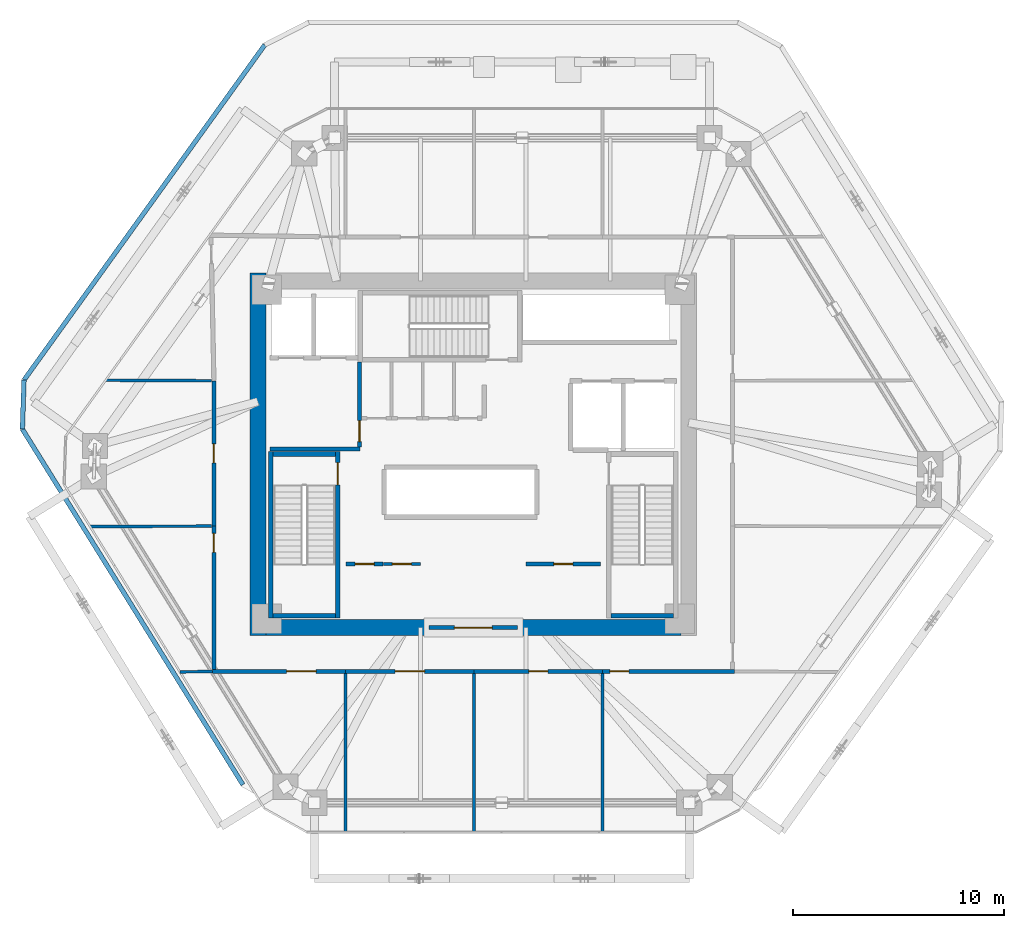
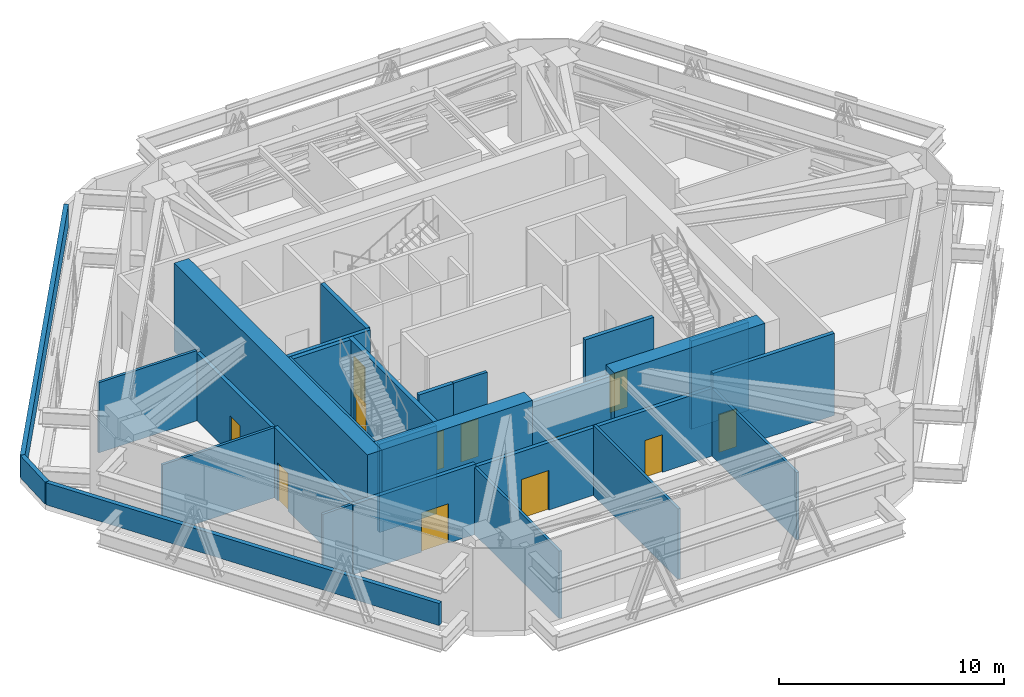
# One storey, part 8 of 11: 29 walls, 12 doors, 12 openings.
"""IFC4 building model written with IfcOpenShell, lengths in metres."""

from ifc_helpers import new_model, si_unit, direction, frame, frame_2d, origin, place, context, subcontext, project, spatial, rectangle, extrude, source, transform, mapped, material, layer, layer_set, type_object, type_shapes, element, fill, save


model = new_model("IFC4")

# Units and contexts
model_context = context("Model", 3, precision=1e-05, world=origin(), true_north=direction((0.0, 1.0)))
body_context = subcontext(model_context, "Body", "Model", "MODEL_VIEW")
ifc_project = project(units=[si_unit("LENGTHUNIT", "METRE"), si_unit("AREAUNIT", "SQUARE_METRE"), si_unit("VOLUMEUNIT", "CUBIC_METRE"), si_unit("PLANEANGLEUNIT", "RADIAN"), si_unit("MASSUNIT", "GRAM", prefix="KILO")], contexts=[model_context])

# Site, building, storey
site_placement = place(None, origin())
site = spatial("IfcSite", under=ifc_project, at=site_placement, CompositionType="ELEMENT")
building_placement = place(site_placement, origin())
building = spatial("IfcBuilding", under=site, at=building_placement, Name="Durnholm Broadcast Tower", CompositionType="ELEMENT")
storey_placement = place(building_placement, frame((0.0, 0.0, 150.300048828125)))
storey = spatial("IfcBuildingStorey", under=building, at=storey_placement, Name="L41", CompositionType="ELEMENT", Elevation=150.300048828125)

# Walls
ifc_material_1 = material(Name="Concrete C70/85", Category="concrete")
ifc_layer_1 = layer(ifc_material_1, 0.75)
ifc_layer_set_1 = layer_set([ifc_layer_1], Name="Concrete C70/85")
wall_type_1 = type_object("IfcWallType", Name="WALL-CW-750", PredefinedType="SHEAR", material=ifc_layer_set_1)
wall_1_placement = place(storey_placement, frame((-10.22509765625, -8.60009765625, 0.0), z_axis=(0.0, 0.0, 1.0), x_axis=(0.0, 1.0, 0.0)))
element("IfcWall", 1, at=wall_1_placement, inside=storey, type_object=wall_type_1, Name="L41 central core shear wall CW-WEST", PredefinedType="SHEAR", context=body_context, shape_type="SweptSolid", body=[
    extrude(rectangle(XDim=17.2001953125, YDim=0.75, at=frame_2d((8.60009765625, 0.0))), origin(), (0.0, 0.0, 1.0), 4.800048828125),
])
for number, where, z_axis, x_axis, name in (
    (2, (-9.85009765625, -8.22509765625, 0.0), (0.0, 0.0, 1.0), (1.0, 0.0, 0.0), "L41 central core shear wall CW-S1"),
    (3, (2.10009765625, -8.22509765625, 0.0), (0.0, 0.0, 1.0), (1.0, 0.0, 0.0), "L41 central core shear wall CW-S2"),
):
    element("IfcWall", number, at=place(storey_placement, frame(where, z_axis=z_axis, x_axis=x_axis)), inside=storey, type_object=wall_type_1, Name=name, PredefinedType="SHEAR", context=body_context, shape_type="SweptSolid", body=[
        extrude(rectangle(XDim=7.75, YDim=0.75, at=frame_2d((3.875, 0.0))), origin(), (0.0, 0.0, 1.0), 4.800048828125),
    ])

# Wall, opening, door
ifc_material_2 = material(Name="Fire-Rated Gypsum Shaftwall", Category="concrete")
ifc_layer_2 = layer(ifc_material_2, 0.199951171875)
ifc_layer_set_2 = layer_set([ifc_layer_2], Name="Fire-Rated Gypsum Shaftwall")
wall_type_2 = type_object("IfcWallType", Name="WALL-LOB-200", PredefinedType="SOLIDWALL", material=ifc_layer_set_2)
wall_2_placement = place(storey_placement, frame((-2.10009765625, -8.22509765625, 0.0), z_axis=(0.0, 0.0, 1.0), x_axis=(1.0, 0.0, 0.0)))
wall_2 = element("IfcWall", 4, at=wall_2_placement, inside=storey, type_object=wall_type_2, Name="L41 south core lobby fire screen", PredefinedType="SOLIDWALL", context=body_context, shape_type="SweptSolid", body=[
    extrude(rectangle(XDim=4.2001953125, YDim=0.199951171875, at=frame_2d((2.10009765625, 0.0))), origin(), (0.0, 0.0, 1.0), 4.46484375),
])
opening_1_placement = place(wall_2_placement, frame((1.199951171875, 0.0, 0.0)))
opening_1 = element("IfcOpeningElement", 5, at=opening_1_placement, cuts=wall_2, Name="Opening DP-60", PredefinedType="OPENING", context=body_context, shape_type="SweptSolid", body=[
    extrude(rectangle(XDim=1.800048828125, YDim=2.14990234375, at=frame_2d((0.89990234375, 1.074951171875))), frame((0.0, 0.10986328125, 0.0), z_axis=(0.0, -1.0, 0.0), x_axis=(1.0, 0.0, 0.0)), (0.0, 0.0, 1.0), 0.219970703125),
])
ifc_material_3 = material(Name="Fire-Rated Double Corridor Door", Category="steel")
ifc_layer_3 = layer(ifc_material_3, 0.050048828125)
ifc_layer_set_3 = layer_set([ifc_layer_3], Name="Fire-Rated Double Corridor Door")
door_type_1 = type_object("IfcDoorType", Name="DOOR-PAIR-FD60", OperationType="DOUBLE_DOOR_SINGLE_SWING", PredefinedType="DOOR", material=ifc_layer_set_3)
shared_shape_1 = source(origin(), body_context, "Body", "SweptSolid", [
    extrude(rectangle(XDim=1.800048828125, YDim=2.14990234375, at=frame_2d((0.89990234375, 1.074951171875))), frame((0.0, 0.02490234375, 0.0), z_axis=(0.0, -1.0, 0.0), x_axis=(1.0, 0.0, 0.0)), (0.0, 0.0, 1.0), 0.050048828125),
])
type_shapes(door_type_1, [shared_shape_1])
door_1_placement = place(opening_1_placement, origin())
door_1 = element("IfcDoor", 6, at=door_1_placement, inside=storey, type_object=door_type_1, Name="L41 south core lobby double fire door", OperationType="DOUBLE_DOOR_SINGLE_SWING", OverallHeight=2.14990234375, OverallWidth=1.800048828125, PredefinedType="DOOR", context=body_context, shape_type="MappedRepresentation", body=[
    mapped(shared_shape_1, transform((0.0, 0.0, 0.0), x_axis=(1.0, 0.0, 0.0), y_axis=(0.0, 1.0, 0.0), z_axis=(0.0, 0.0, 1.0), scale=1.0)),
])
fill(opening_1, door_1)

# Wall
wall_3_placement = place(storey_placement, frame((-9.64990234375, 0.25, 0.0), z_axis=(0.0, 0.0, 1.0), x_axis=(1.0, 0.0, 0.0)))
element("IfcWall", 7, at=wall_3_placement, inside=storey, type_object=wall_type_2, Name="L41 Fire Service Access Elevator lobby south wall", PredefinedType="SOLIDWALL", context=body_context, shape_type="SweptSolid", body=[
    extrude(rectangle(XDim=4.27001953125, YDim=0.199951171875, at=frame_2d((2.135009765625, 0.0))), origin(), (0.0, 0.0, 1.0), 4.46484375),
])

# Wall, opening, door
wall_4_placement = place(storey_placement, frame((-5.39990234375, 0.35400390625, 0.0), z_axis=(0.0, 0.0, 1.0), x_axis=(0.0, 1.0, 0.0)))
wall_4 = element("IfcWall", 8, at=wall_4_placement, inside=storey, type_object=wall_type_2, Name="L41 Fire Service Access Elevator lobby east fire wall", PredefinedType="SOLIDWALL", context=body_context, shape_type="SweptSolid", body=[
    extrude(rectangle(XDim=4.02587890625, YDim=0.199951171875, at=frame_2d((2.012939453125, 0.0))), origin(), (0.0, 0.0, 1.0), 4.46484375),
])
opening_2_placement = place(wall_4_placement, frame((0.24609375, 0.0, 0.0)))
opening_2 = element("IfcOpeningElement", 9, at=opening_2_placement, cuts=wall_4, Name="Opening DL-60R", PredefinedType="OPENING", context=body_context, shape_type="SweptSolid", body=[
    extrude(rectangle(XDim=1.0, YDim=2.14990234375, at=frame_2d((0.5, 1.074951171875))), frame((0.0, 0.10986328125, 0.0), z_axis=(0.0, -1.0, 0.0), x_axis=(1.0, 0.0, 0.0)), (0.0, 0.0, 1.0), 0.219970703125),
])
ifc_material_4 = material(Name="Fire-Rated Timber/Steel Door", Category="steel")
ifc_layer_4 = layer(ifc_material_4, 0.050048828125)
ifc_layer_set_4 = layer_set([ifc_layer_4], Name="Fire-Rated Timber/Steel Door")
door_type_2 = type_object("IfcDoorType", Name="DOOR-LOB-FD60-R", OperationType="NOTDEFINED", PredefinedType="DOOR", material=ifc_layer_set_4)
shared_shape_2 = source(origin(), body_context, "Body", "SweptSolid", [
    extrude(rectangle(XDim=1.0, YDim=2.14990234375, at=frame_2d((0.5, 1.074951171875))), frame((0.0, 0.02490234375, 0.0), z_axis=(0.0, -1.0, 0.0), x_axis=(1.0, 0.0, 0.0)), (0.0, 0.0, 1.0), 0.050048828125),
])
type_shapes(door_type_2, [shared_shape_2])
door_2_placement = place(opening_2_placement, origin())
door_2 = element("IfcDoor", 10, at=door_2_placement, inside=storey, type_object=door_type_2, Name="L41 Fire Service Access Elevator lobby smoke door", OperationType="SINGLE_SWING_RIGHT", OverallHeight=2.14990234375, OverallWidth=1.0, PredefinedType="DOOR", context=body_context, shape_type="MappedRepresentation", body=[
    mapped(shared_shape_2, transform((0.0, 0.0, 0.0), x_axis=(1.0, 0.0, 0.0), y_axis=(0.0, 1.0, 0.0), z_axis=(0.0, 0.0, 1.0), scale=1.0)),
])
fill(opening_2, door_2)

wall_5_placement = place(storey_placement, frame((-6.0400390625, -5.2099609375, 0.0), z_axis=(0.0, 0.0, 1.0), x_axis=(1.0, 0.0, 0.0)))
wall_5 = element("IfcWall", 11, at=wall_5_placement, inside=storey, type_object=wall_type_2, Name="L41 Media Fiber Patch Room corridor partition", PredefinedType="SOLIDWALL", context=body_context, shape_type="SweptSolid", body=[
    extrude(rectangle(XDim=1.760009765625, YDim=0.199951171875, at=frame_2d((0.8798828125, 0.0))), origin(), (0.0, 0.0, 1.0), 4.46484375),
])
opening_3_placement = place(wall_5_placement, frame((0.429931640625, 0.0, 0.0)))
opening_3 = element("IfcOpeningElement", 12, at=opening_3_placement, cuts=wall_5, Name="Opening DC-60R", PredefinedType="OPENING", context=body_context, shape_type="SweptSolid", body=[
    extrude(rectangle(XDim=0.89990234375, YDim=2.050048828125, at=frame_2d((0.449951171875, 1.02490234375))), frame((0.0, 0.10986328125, 0.0), z_axis=(0.0, -1.0, 0.0), x_axis=(1.0, 0.0, 0.0)), (0.0, 0.0, 1.0), 0.219970703125),
])
ifc_material_5 = material(Name="Fire-Rated Core Service Door", Category="steel")
ifc_layer_5 = layer(ifc_material_5, 0.050048828125)
ifc_layer_set_5 = layer_set([ifc_layer_5], Name="Fire-Rated Core Service Door")
door_type_3 = type_object("IfcDoorType", Name="DOOR-CORE-FD60-R", OperationType="NOTDEFINED", PredefinedType="DOOR", material=ifc_layer_set_5)
shared_shape_3 = source(origin(), body_context, "Body", "SweptSolid", [
    extrude(rectangle(XDim=0.89990234375, YDim=2.050048828125, at=frame_2d((0.449951171875, 1.02490234375))), frame((0.0, 0.02490234375, 0.0), z_axis=(0.0, -1.0, 0.0), x_axis=(1.0, 0.0, 0.0)), (0.0, 0.0, 1.0), 0.050048828125),
])
type_shapes(door_type_3, [shared_shape_3])
door_3_placement = place(opening_3_placement, origin())
door_3 = element("IfcDoor", 13, at=door_3_placement, inside=storey, type_object=door_type_3, Name="L41 Media Fiber Patch Room entrance door", OperationType="SINGLE_SWING_RIGHT", OverallHeight=2.050048828125, OverallWidth=0.89990234375, PredefinedType="DOOR", context=body_context, shape_type="MappedRepresentation", body=[
    mapped(shared_shape_3, transform((0.0, 0.0, 0.0), x_axis=(1.0, 0.0, 0.0), y_axis=(0.0, 1.0, 0.0), z_axis=(0.0, 0.0, 1.0), scale=1.0)),
])
fill(opening_3, door_3)

wall_6_placement = place(storey_placement, frame((2.510009765625, -5.2099609375, 0.0), z_axis=(0.0, 0.0, 1.0), x_axis=(1.0, 0.0, 0.0)))
wall_6 = element("IfcWall", 14, at=wall_6_placement, inside=storey, type_object=wall_type_2, Name="L41 Telemetry Control Closet corridor partition", PredefinedType="SOLIDWALL", context=body_context, shape_type="SweptSolid", body=[
    extrude(rectangle(XDim=3.530029296875, YDim=0.199951171875, at=frame_2d((1.76513671875, 0.0))), origin(), (0.0, 0.0, 1.0), 4.46484375),
])
opening_4_placement = place(wall_6_placement, frame((1.31494140625, 0.0, 0.0)))
opening_4 = element("IfcOpeningElement", 15, at=opening_4_placement, cuts=wall_6, Name="Opening DC-60R", PredefinedType="OPENING", context=body_context, shape_type="SweptSolid", body=[
    extrude(rectangle(XDim=0.89990234375, YDim=2.050048828125, at=frame_2d((0.449951171875, 1.02490234375))), frame((0.0, 0.10986328125, 0.0), z_axis=(0.0, -1.0, 0.0), x_axis=(1.0, 0.0, 0.0)), (0.0, 0.0, 1.0), 0.219970703125),
])
door_4_placement = place(opening_4_placement, origin())
door_4 = element("IfcDoor", 16, at=door_4_placement, inside=storey, type_object=door_type_3, Name="L41 Telemetry Control Closet entrance door", OperationType="SINGLE_SWING_RIGHT", OverallHeight=2.050048828125, OverallWidth=0.89990234375, PredefinedType="DOOR", context=body_context, shape_type="MappedRepresentation", body=[
    mapped(shared_shape_3, transform((0.0, 0.0, 0.0), x_axis=(1.0, 0.0, 0.0), y_axis=(0.0, 1.0, 0.0), z_axis=(0.0, 0.0, 1.0), scale=1.0)),
])
fill(opening_4, door_4)

wall_7_placement = place(storey_placement, frame((-12.389892578125, -10.31005859375, 0.0), z_axis=(0.0, 0.0, 1.0), x_axis=(1.0, 0.0, 0.0)))
wall_7 = element("IfcWall", 17, at=wall_7_placement, inside=storey, type_object=wall_type_2, Name="L41 L41 West Pressurized Refuge Area corridor partition", PredefinedType="SOLIDWALL", context=body_context, shape_type="SweptSolid", body=[
    extrude(rectangle(XDim=6.329833984375, YDim=0.199951171875, at=frame_2d((3.1650390625, 0.0))), origin(), (0.0, 0.0, 1.0), 3.81884765625),
])
opening_5_placement = place(wall_7_placement, frame((3.530029296875, 0.0, 0.0)))
opening_5 = element("IfcOpeningElement", 18, at=opening_5_placement, cuts=wall_7, Name="Opening DPL-140", PredefinedType="OPENING", context=body_context, shape_type="SweptSolid", body=[
    extrude(rectangle(XDim=1.39990234375, YDim=2.14990234375, at=frame_2d((0.699951171875, 1.074951171875))), frame((0.0, 0.10986328125, 0.0), z_axis=(0.0, -1.0, 0.0), x_axis=(1.0, 0.0, 0.0)), (0.0, 0.0, 1.0), 0.219970703125),
])
ifc_material_6 = material(Name="Fire-Rated Mechanical Plant Double Door", Category="steel")
ifc_layer_6 = layer(ifc_material_6, 0.050048828125)
ifc_layer_set_6 = layer_set([ifc_layer_6], Name="Fire-Rated Mechanical Plant Double Door")
door_type_4 = type_object("IfcDoorType", Name="DOOR-PLNT-1400", OperationType="DOUBLE_DOOR_SINGLE_SWING", PredefinedType="DOOR", material=ifc_layer_set_6)
shared_shape_4 = source(origin(), body_context, "Body", "SweptSolid", [
    extrude(rectangle(XDim=1.39990234375, YDim=2.14990234375, at=frame_2d((0.699951171875, 1.074951171875))), frame((0.0, 0.02490234375, 0.0), z_axis=(0.0, -1.0, 0.0), x_axis=(1.0, 0.0, 0.0)), (0.0, 0.0, 1.0), 0.050048828125),
])
type_shapes(door_type_4, [shared_shape_4])
door_5_placement = place(opening_5_placement, origin())
door_5 = element("IfcDoor", 19, at=door_5_placement, inside=storey, type_object=door_type_4, Name="L41 L41 West Pressurized Refuge Area entrance door", OperationType="DOUBLE_DOOR_SINGLE_SWING", OverallHeight=2.14990234375, OverallWidth=1.39990234375, PredefinedType="DOOR", context=body_context, shape_type="MappedRepresentation", body=[
    mapped(shared_shape_4, transform((0.0, 0.0, 0.0), x_axis=(1.0, 0.0, 0.0), y_axis=(0.0, 1.0, 0.0), z_axis=(0.0, 0.0, 1.0), scale=1.0)),
])
fill(opening_5, door_5)

wall_8_placement = place(storey_placement, frame((-6.06005859375, -10.31005859375, 0.0), z_axis=(0.0, 0.0, 1.0), x_axis=(1.0, 0.0, 0.0)))
wall_8 = element("IfcWall", 20, at=wall_8_placement, inside=storey, type_object=wall_type_2, Name="L41 L41 South Pressurized Refuge Area corridor partition", PredefinedType="SOLIDWALL", context=body_context, shape_type="SweptSolid", body=[
    extrude(rectangle(XDim=6.10009765625, YDim=0.199951171875, at=frame_2d((3.050048828125, 0.0))), origin(), (0.0, 0.0, 1.0), 3.661865234375),
])
opening_6_placement = place(wall_8_placement, frame((2.35009765625, 0.0, 0.0)))
opening_6 = element("IfcOpeningElement", 21, at=opening_6_placement, cuts=wall_8, Name="Opening DPL-140", PredefinedType="OPENING", context=body_context, shape_type="SweptSolid", body=[
    extrude(rectangle(XDim=1.39990234375, YDim=2.14990234375, at=frame_2d((0.699951171875, 1.074951171875))), frame((0.0, 0.10986328125, 0.0), z_axis=(0.0, -1.0, 0.0), x_axis=(1.0, 0.0, 0.0)), (0.0, 0.0, 1.0), 0.219970703125),
])
door_6_placement = place(opening_6_placement, origin())
door_6 = element("IfcDoor", 22, at=door_6_placement, inside=storey, type_object=door_type_4, Name="L41 L41 South Pressurized Refuge Area entrance door", OperationType="DOUBLE_DOOR_SINGLE_SWING", OverallHeight=2.14990234375, OverallWidth=1.39990234375, PredefinedType="DOOR", context=body_context, shape_type="MappedRepresentation", body=[
    mapped(shared_shape_4, transform((0.0, 0.0, 0.0), x_axis=(1.0, 0.0, 0.0), y_axis=(0.0, 1.0, 0.0), z_axis=(0.0, 0.0, 1.0), scale=1.0)),
])
fill(opening_6, door_6)

wall_9_placement = place(storey_placement, frame((0.0400390625, -10.31005859375, 0.0), z_axis=(0.0, 0.0, 1.0), x_axis=(1.0, 0.0, 0.0)))
wall_9 = element("IfcWall", 23, at=wall_9_placement, inside=storey, type_object=wall_type_2, Name="L41 Mechanical Plant Room - Domestic Water Booster Tank corridor partition", PredefinedType="SOLIDWALL", context=body_context, shape_type="SweptSolid", body=[
    extrude(rectangle(XDim=6.099853515625, YDim=0.199951171875, at=frame_2d((3.0498046875, 0.0))), origin(), (0.0, 0.0, 1.0), 3.661865234375),
])
opening_7_placement = place(wall_9_placement, frame((2.60009765625, 0.0, 0.0)))
opening_7 = element("IfcOpeningElement", 24, at=opening_7_placement, cuts=wall_9, Name="Opening DC-60L", PredefinedType="OPENING", context=body_context, shape_type="SweptSolid", body=[
    extrude(rectangle(XDim=0.89990234375, YDim=2.050048828125, at=frame_2d((0.449951171875, 1.02490234375))), frame((0.0, 0.10986328125, 0.0), z_axis=(0.0, -1.0, 0.0), x_axis=(1.0, 0.0, 0.0)), (0.0, 0.0, 1.0), 0.219970703125),
])
ifc_layer_7 = layer(ifc_material_5, 0.050048828125)
ifc_layer_set_7 = layer_set([ifc_layer_7], Name="Fire-Rated Core Service Door")
door_type_5 = type_object("IfcDoorType", Name="DOOR-CORE-FD60-L", OperationType="NOTDEFINED", PredefinedType="DOOR", material=ifc_layer_set_7)
shared_shape_5 = source(origin(), body_context, "Body", "SweptSolid", [
    extrude(rectangle(XDim=0.89990234375, YDim=2.050048828125, at=frame_2d((0.449951171875, 1.02490234375))), frame((0.0, 0.02490234375, 0.0), z_axis=(0.0, -1.0, 0.0), x_axis=(1.0, 0.0, 0.0)), (0.0, 0.0, 1.0), 0.050048828125),
])
type_shapes(door_type_5, [shared_shape_5])
door_7_placement = place(opening_7_placement, origin())
door_7 = element("IfcDoor", 25, at=door_7_placement, inside=storey, type_object=door_type_5, Name="L41 Mechanical Plant Room - Domestic Water Booster Tank entrance door", OperationType="SINGLE_SWING_LEFT", OverallHeight=2.050048828125, OverallWidth=0.89990234375, PredefinedType="DOOR", context=body_context, shape_type="MappedRepresentation", body=[
    mapped(shared_shape_5, transform((0.0, 0.0, 0.0), x_axis=(1.0, 0.0, 0.0), y_axis=(0.0, 1.0, 0.0), z_axis=(0.0, 0.0, 1.0), scale=1.0)),
])
fill(opening_7, door_7)

wall_10_placement = place(storey_placement, frame((6.139892578125, -10.31005859375, 0.0), z_axis=(0.0, 0.0, 1.0), x_axis=(1.0, 0.0, 0.0)))
wall_10 = element("IfcWall", 26, at=wall_10_placement, inside=storey, type_object=wall_type_2, Name="L41 Mechanical Plant Room - Fire Protection Pump Plant corridor partition", PredefinedType="SOLIDWALL", context=body_context, shape_type="SweptSolid", body=[
    extrude(rectangle(XDim=6.25, YDim=0.199951171875, at=frame_2d((3.125, 0.0))), origin(), (0.0, 0.0, 1.0), 4.46484375),
])
opening_8_placement = place(wall_10_placement, frame((0.35009765625, 0.0, 0.0)))
opening_8 = element("IfcOpeningElement", 27, at=opening_8_placement, cuts=wall_10, Name="Opening DC-60R", PredefinedType="OPENING", context=body_context, shape_type="SweptSolid", body=[
    extrude(rectangle(XDim=0.89990234375, YDim=2.050048828125, at=frame_2d((0.449951171875, 1.02490234375))), frame((0.0, 0.10986328125, 0.0), z_axis=(0.0, -1.0, 0.0), x_axis=(1.0, 0.0, 0.0)), (0.0, 0.0, 1.0), 0.219970703125),
])
door_8_placement = place(opening_8_placement, origin())
door_8 = element("IfcDoor", 28, at=door_8_placement, inside=storey, type_object=door_type_3, Name="L41 Mechanical Plant Room - Fire Protection Pump Plant entrance door", OperationType="SINGLE_SWING_RIGHT", OverallHeight=2.050048828125, OverallWidth=0.89990234375, PredefinedType="DOOR", context=body_context, shape_type="MappedRepresentation", body=[
    mapped(shared_shape_3, transform((0.0, 0.0, 0.0), x_axis=(1.0, 0.0, 0.0), y_axis=(0.0, 1.0, 0.0), z_axis=(0.0, 0.0, 1.0), scale=1.0)),
])
fill(opening_8, door_8)

wall_11_placement = place(storey_placement, frame((-12.31005859375, -3.409912109375, 0.0), z_axis=(0.0, 0.0, 1.0), x_axis=(0.0, -1.0, 0.0)))
wall_11 = element("IfcWall", 29, at=wall_11_placement, inside=storey, type_object=wall_type_2, Name="L41 Mechanical Plant Room - Electrical Switchgear West corridor partition", PredefinedType="SOLIDWALL", context=body_context, shape_type="SweptSolid", body=[
    extrude(rectangle(XDim=6.796142578125, YDim=0.199951171875, at=frame_2d((3.39794921875, 0.0))), origin(), (0.0, 0.0, 1.0), 3.81884765625),
])
opening_9_placement = place(wall_11_placement, frame((0.35009765625, 0.0, 0.0)))
opening_9 = element("IfcOpeningElement", 30, at=opening_9_placement, cuts=wall_11, Name="Opening DC-60R", PredefinedType="OPENING", context=body_context, shape_type="SweptSolid", body=[
    extrude(rectangle(XDim=0.89990234375, YDim=2.050048828125, at=frame_2d((0.449951171875, 1.02490234375))), frame((0.0, 0.10986328125, 0.0), z_axis=(0.0, -1.0, 0.0), x_axis=(1.0, 0.0, 0.0)), (0.0, 0.0, 1.0), 0.219970703125),
])
door_9_placement = place(opening_9_placement, origin())
door_9 = element("IfcDoor", 31, at=door_9_placement, inside=storey, type_object=door_type_3, Name="L41 Mechanical Plant Room - Electrical Switchgear West entrance door", OperationType="SINGLE_SWING_RIGHT", OverallHeight=2.050048828125, OverallWidth=0.89990234375, PredefinedType="DOOR", context=body_context, shape_type="MappedRepresentation", body=[
    mapped(shared_shape_3, transform((0.0, 0.0, 0.0), x_axis=(1.0, 0.0, 0.0), y_axis=(0.0, 1.0, 0.0), z_axis=(0.0, 0.0, 1.0), scale=1.0)),
])
fill(opening_9, door_9)

wall_12_placement = place(storey_placement, frame((-12.31005859375, 3.489990234375, 0.0), z_axis=(0.0, 0.0, 1.0), x_axis=(0.0, -1.0, 0.0)))
wall_12 = element("IfcWall", 32, at=wall_12_placement, inside=storey, type_object=wall_type_2, Name="L41 Mechanical Plant Room - Stairwell Pressurization Fan corridor partition", PredefinedType="SOLIDWALL", context=body_context, shape_type="SweptSolid", body=[
    extrude(rectangle(XDim=6.89990234375, YDim=0.199951171875, at=frame_2d((3.449951171875, 0.0))), origin(), (0.0, 0.0, 1.0), 3.661865234375),
])
opening_10_placement = place(wall_12_placement, frame((3.0, 0.0, 0.0)))
opening_10 = element("IfcOpeningElement", 33, at=opening_10_placement, cuts=wall_12, Name="Opening DC-60L", PredefinedType="OPENING", context=body_context, shape_type="SweptSolid", body=[
    extrude(rectangle(XDim=0.89990234375, YDim=2.050048828125, at=frame_2d((0.449951171875, 1.02490234375))), frame((0.0, 0.10986328125, 0.0), z_axis=(0.0, -1.0, 0.0), x_axis=(1.0, 0.0, 0.0)), (0.0, 0.0, 1.0), 0.219970703125),
])
door_10_placement = place(opening_10_placement, origin())
door_10 = element("IfcDoor", 34, at=door_10_placement, inside=storey, type_object=door_type_5, Name="L41 Mechanical Plant Room - Stairwell Pressurization Fan entrance door", OperationType="SINGLE_SWING_LEFT", OverallHeight=2.050048828125, OverallWidth=0.89990234375, PredefinedType="DOOR", context=body_context, shape_type="MappedRepresentation", body=[
    mapped(shared_shape_5, transform((0.0, 0.0, 0.0), x_axis=(1.0, 0.0, 0.0), y_axis=(0.0, 1.0, 0.0), z_axis=(0.0, 0.0, 1.0), scale=1.0)),
])
fill(opening_10, door_10)

# Walls
ifc_material_7 = material(Name="Precast Concrete C40/50", Category="concrete")
ifc_layer_8 = layer(ifc_material_7, 0.219970703125)
ifc_layer_set_8 = layer_set([ifc_layer_8], Name="Precast Concrete C40/50")
wall_type_3 = type_object("IfcWallType", Name="WALL-PAR-220", PredefinedType="PARAPET", material=ifc_layer_set_8)
wall_13_placement = place(storey_placement, frame((-10.93408203125, -15.687744140625, 0.0), z_axis=(0.0, 0.0, 1.0), x_axis=(-0.527101579679, 0.849802285652, 0.0)))
element("IfcWall", 35, at=wall_13_placement, inside=storey, type_object=wall_type_3, Name="L41 setback roof perimeter parapet 01", PredefinedType="PARAPET", context=body_context, shape_type="SweptSolid", body=[
    extrude(rectangle(XDim=19.86572265625, YDim=0.219970703125, at=frame_2d((9.932861328125, 0.0))), origin(), (0.0, 0.0, 1.0), 1.199951171875),
])
wall_14_placement = place(storey_placement, frame((-21.4052734375, 1.194091796875, 0.0), z_axis=(0.0, 0.0, 1.0), x_axis=(0.033903647197, 0.999425106102, 0.0)))
element("IfcWall", 36, at=wall_14_placement, inside=storey, type_object=wall_type_3, Name="L41 setback roof perimeter parapet 02", PredefinedType="PARAPET", context=body_context, shape_type="SweptSolid", body=[
    extrude(rectangle(XDim=2.3330078125, YDim=0.219970703125, at=frame_2d((1.16650390625, 0.0))), origin(), (0.0, 0.0, 1.0), 1.199951171875),
])
wall_15_placement = place(storey_placement, frame((-21.326171875, 3.52587890625, 0.0), z_axis=(0.0, 0.0, 1.0), x_axis=(0.583446750611, 0.812151395493, 0.0)))
element("IfcWall", 37, at=wall_15_placement, inside=storey, type_object=wall_type_3, Name="L41 setback roof perimeter parapet 03", PredefinedType="PARAPET", context=body_context, shape_type="SweptSolid", body=[
    extrude(rectangle(XDim=19.58740234375, YDim=0.219970703125, at=frame_2d((9.793701171875, 0.0))), origin(), (0.0, 0.0, 1.0), 1.199951171875),
])
ifc_material_8 = material(Name="Gypsum Metal Stud Partition", Category="concrete")
ifc_layer_9 = layer(ifc_material_8, 0.135009765625)
ifc_layer_set_9 = layer_set([ifc_layer_9], Name="Gypsum Metal Stud Partition")
wall_type_4 = type_object("IfcWallType", Name="WALL-PART-135", PredefinedType="PARTITIONING", material=ifc_layer_set_9)
wall_16_placement = place(storey_placement, frame((-6.06005859375, -10.4140625, 0.0), z_axis=(0.0, 0.0, 1.0), x_axis=(0.0, -1.0, 0.0)))
element("IfcWall", 38, at=wall_16_placement, inside=storey, type_object=wall_type_4, Name="L41 room dividing partition 12.13", PredefinedType="PARTITIONING", context=body_context, shape_type="SweptSolid", body=[
    extrude(rectangle(XDim=7.52783203125, YDim=0.135009765625, at=frame_2d((3.763916015625, 0.0))), origin(), (0.0, 0.0, 1.0), 3.661865234375),
])
wall_17_placement = place(storey_placement, frame((-13.923583984375, -10.3310546875, 0.0), z_axis=(0.0, 0.0, 1.0), x_axis=(0.999914818291, 0.01305205589, 0.0)))
element("IfcWall", 39, at=wall_17_placement, inside=storey, type_object=wall_type_4, Name="L41 room dividing partition 12.19", PredefinedType="PARTITIONING", context=body_context, shape_type="SweptSolid", body=[
    extrude(rectangle(XDim=1.533935546875, YDim=0.135009765625, at=frame_2d((0.76708984375, 0.0))), origin(), (0.0, 0.0, 1.0), 3.81884765625),
])
wall_18_placement = place(storey_placement, frame((0.0400390625, -10.4140625, 0.0), z_axis=(0.0, 0.0, 1.0), x_axis=(0.0, -1.0, 0.0)))
element("IfcWall", 40, at=wall_18_placement, inside=storey, type_object=wall_type_4, Name="L41 room dividing partition 13.14", PredefinedType="PARTITIONING", context=body_context, shape_type="SweptSolid", body=[
    extrude(rectangle(XDim=7.52783203125, YDim=0.135009765625, at=frame_2d((3.763916015625, 0.0))), origin(), (0.0, 0.0, 1.0), 3.81884765625),
])
wall_19_placement = place(storey_placement, frame((6.139892578125, -10.4140625, 0.0), z_axis=(0.0, 0.0, 1.0), x_axis=(0.0, -1.0, 0.0)))
element("IfcWall", 41, at=wall_19_placement, inside=storey, type_object=wall_type_4, Name="L41 room dividing partition 14.15", PredefinedType="PARTITIONING", context=body_context, shape_type="SweptSolid", body=[
    extrude(rectangle(XDim=7.52783203125, YDim=0.135009765625, at=frame_2d((3.763916015625, 0.0))), origin(), (0.0, 0.0, 1.0), 3.661865234375),
])
wall_20_placement = place(storey_placement, frame((-18.1875, -3.43115234375, 0.0), z_axis=(0.0, 0.0, 1.0), x_axis=(0.999993540263, 0.003594361084, 0.0)))
element("IfcWall", 42, at=wall_20_placement, inside=storey, type_object=wall_type_4, Name="L41 room dividing partition 19.20", PredefinedType="PARTITIONING", context=body_context, shape_type="SweptSolid", body=[
    extrude(rectangle(XDim=5.7734375, YDim=0.135009765625, at=frame_2d((2.88671875, 0.0))), origin(), (0.0, 0.0, 1.0), 3.81884765625),
])
wall_21_placement = place(storey_placement, frame((-17.44970703125, 3.51318359375, 0.0), z_axis=(0.0, 0.0, 1.0), x_axis=(0.999989829274, -0.004510138415, 0.0)))
element("IfcWall", 43, at=wall_21_placement, inside=storey, type_object=wall_type_4, Name="L41 room dividing partition 20.21", PredefinedType="PARTITIONING", context=body_context, shape_type="SweptSolid", body=[
    extrude(rectangle(XDim=5.0341796875, YDim=0.135009765625, at=frame_2d((2.51708984375, 0.0))), origin(), (0.0, 0.0, 1.0), 3.81884765625),
])

# Wall, opening, door
ifc_material_9 = material(Name="Acoustic Gypsum Stud Partition", Category="concrete")
ifc_layer_10 = layer(ifc_material_9, 0.14990234375)
ifc_layer_set_10 = layer_set([ifc_layer_10], Name="Acoustic Gypsum Stud Partition")
wall_type_5 = type_object("IfcWallType", Name="WALL-PART-150", PredefinedType="PARTITIONING", material=ifc_layer_set_10)
wall_22_placement = place(storey_placement, frame((-4.260009765625, -5.2099609375, 0.0), z_axis=(0.0, 0.0, 1.0), x_axis=(1.0, 0.0, 0.0)))
wall_22 = element("IfcWall", 44, at=wall_22_placement, inside=storey, type_object=wall_type_5, Name="L41 Copy and Print Room corridor partition", PredefinedType="PARTITIONING", context=body_context, shape_type="SweptSolid", body=[
    extrude(rectangle(XDim=1.75, YDim=0.14990234375, at=frame_2d((0.875, 0.0))), origin(), (0.0, 0.0, 1.0), 4.46484375),
])
opening_11_placement = place(wall_22_placement, frame((0.425048828125, 0.0, 0.0)))
opening_11 = element("IfcOpeningElement", 45, at=opening_11_placement, cuts=wall_22, Name="Opening DC-60L", PredefinedType="OPENING", context=body_context, shape_type="SweptSolid", body=[
    extrude(rectangle(XDim=0.89990234375, YDim=2.050048828125, at=frame_2d((0.449951171875, 1.02490234375))), frame((0.0, 0.0849609375, 0.0), z_axis=(0.0, -1.0, 0.0), x_axis=(1.0, 0.0, 0.0)), (0.0, 0.0, 1.0), 0.169921875),
])
door_11_placement = place(opening_11_placement, origin())
door_11 = element("IfcDoor", 46, at=door_11_placement, inside=storey, type_object=door_type_5, Name="L41 Copy and Print Room entrance door", OperationType="SINGLE_SWING_LEFT", OverallHeight=2.050048828125, OverallWidth=0.89990234375, PredefinedType="DOOR", context=body_context, shape_type="MappedRepresentation", body=[
    mapped(shared_shape_5, transform((0.0, 0.0, 0.0), x_axis=(1.0, 0.0, 0.0), y_axis=(0.0, 1.0, 0.0), z_axis=(0.0, 0.0, 1.0), scale=1.0)),
])
fill(opening_11, door_11)

ifc_material_10 = material(Name="Concrete C50/60", Category="concrete")
ifc_layer_11 = layer(ifc_material_10, 0.219970703125)
ifc_layer_set_11 = layer_set([ifc_layer_11], Name="Concrete C50/60")
wall_type_6 = type_object("IfcWallType", Name="WALL-SW-220", PredefinedType="SHEAR", material=ifc_layer_set_11)
wall_23_placement = place(storey_placement, frame((-6.429931640625, -7.77001953125, -0.320068359375), z_axis=(0.0, 0.0, 1.0), x_axis=(0.0, 1.0, 0.0)))
wall_23 = element("IfcWall", 47, at=wall_23_placement, inside=storey, type_object=wall_type_6, Name="L41 stair ST-1 structural shaft wall E", PredefinedType="SHEAR", context=body_context, shape_type="SweptSolid", body=[
    extrude(rectangle(XDim=7.89013671875, YDim=0.219970703125, at=frame_2d((3.945068359375, 0.0))), origin(), (0.0, 0.0, 1.0), 4.800048828125),
])
opening_12_placement = place(wall_23_placement, frame((6.320068359375, 0.0, 0.0)))
opening_12 = element("IfcOpeningElement", 48, at=opening_12_placement, cuts=wall_23, Name="Opening DS-90L", PredefinedType="OPENING", context=body_context, shape_type="SweptSolid", body=[
    extrude(rectangle(XDim=1.050048828125, YDim=2.14990234375, at=frame_2d((0.52490234375, 1.074951171875))), frame((0.0, 0.1201171875, 0.0), z_axis=(0.0, -1.0, 0.0), x_axis=(1.0, 0.0, 0.0)), (0.0, 0.0, 1.0), 0.239990234375),
])
ifc_material_11 = material(Name="Fire-Rated Steel Door", Category="steel")
ifc_layer_12 = layer(ifc_material_11, 0.050048828125)
ifc_layer_set_12 = layer_set([ifc_layer_12], Name="Fire-Rated Steel Door")
door_type_6 = type_object("IfcDoorType", Name="DOOR-ST-FD90-L", OperationType="NOTDEFINED", PredefinedType="DOOR", material=ifc_layer_set_12)
shared_shape_6 = source(origin(), body_context, "Body", "SweptSolid", [
    extrude(rectangle(XDim=1.050048828125, YDim=2.14990234375, at=frame_2d((0.52490234375, 1.074951171875))), frame((0.0, 0.02490234375, 0.0), z_axis=(0.0, -1.0, 0.0), x_axis=(1.0, 0.0, 0.0)), (0.0, 0.0, 1.0), 0.050048828125),
])
type_shapes(door_type_6, [shared_shape_6])
door_12_placement = place(opening_12_placement, origin())
door_12 = element("IfcDoor", 49, at=door_12_placement, inside=storey, type_object=door_type_6, Name="L41 exit stair ST-1 fire door", OperationType="SINGLE_SWING_LEFT", OverallHeight=2.14990234375, OverallWidth=1.050048828125, PredefinedType="DOOR", context=body_context, shape_type="MappedRepresentation", body=[
    mapped(shared_shape_6, transform((0.0, 0.0, 0.0), x_axis=(1.0, 0.0, 0.0), y_axis=(0.0, 1.0, 0.0), z_axis=(0.0, 0.0, 1.0), scale=1.0)),
])
fill(opening_12, door_12)

# Walls
wall_24_placement = place(storey_placement, frame((-9.610107421875, 0.1201171875, -0.320068359375), z_axis=(0.0, 0.0, 1.0), x_axis=(0.0, -1.0, 0.0)))
element("IfcWall", 50, at=wall_24_placement, inside=storey, type_object=wall_type_6, Name="L41 stair ST-1 structural shaft wall W", PredefinedType="SHEAR", context=body_context, shape_type="SweptSolid", body=[
    extrude(rectangle(XDim=7.89013671875, YDim=0.219970703125, at=frame_2d((3.945068359375, 0.0))), origin(), (0.0, 0.0, 1.0), 4.800048828125),
])
for number, where, z_axis, x_axis, name in (
    (51, (-9.5, -7.659912109375, -0.320068359375), (0.0, 0.0, 1.0), (1.0, 0.0, 0.0), "L41 stair ST-1 structural shaft wall S"),
    (52, (-6.5400390625, 0.010009765625, -0.320068359375), (0.0, 0.0, 1.0), (-1.0, 0.0, 0.0), "L41 stair ST-1 structural shaft wall N"),
    (53, (6.5400390625, -7.659912109375, -0.320068359375), (0.0, 0.0, 1.0), (1.0, 0.0, 0.0), "L41 stair ST-2 structural shaft wall S"),
):
    element("IfcWall", number, at=place(storey_placement, frame(where, z_axis=z_axis, x_axis=x_axis)), inside=storey, type_object=wall_type_6, Name=name, PredefinedType="SHEAR", context=body_context, shape_type="SweptSolid", body=[
        extrude(rectangle(XDim=2.9599609375, YDim=0.219970703125, at=frame_2d((1.47998046875, 0.0))), origin(), (0.0, 0.0, 1.0), 4.800048828125),
    ])

save(model, "model.ifc")
